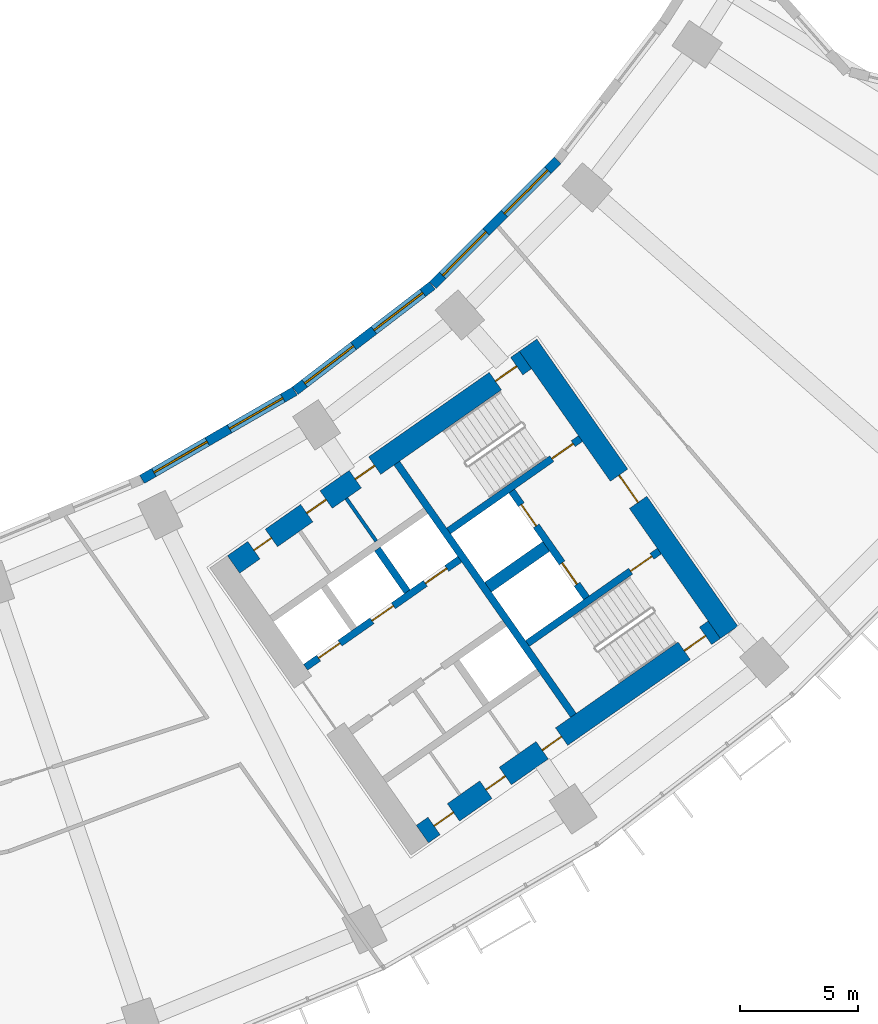
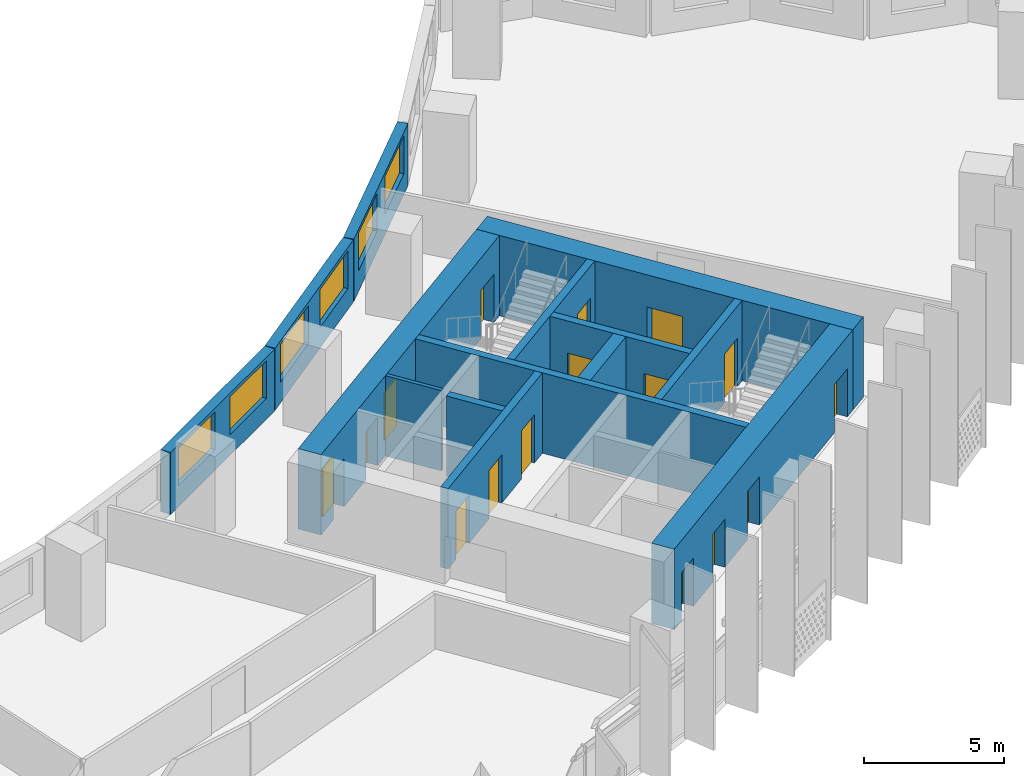
# One storey, part 7 of 33: 16 doors, 14 walls, 6 windows, 22 openings.
"""IFC4 building model written with IfcOpenShell, lengths in metres."""

from ifc_helpers import new_model, si_unit, direction, frame, frame_2d, origin, place, context, subcontext, project, spatial, rectangle, extrude, material, layer, layer_set, type_object, element, fill, save


model = new_model("IFC4")

# Units and contexts
model_context = context("Model", 3, precision=1e-05, world=origin(), true_north=direction((0.0, 1.0)))
body_context = subcontext(model_context, "Body", "Model", "MODEL_VIEW")
ifc_project = project(units=[si_unit("LENGTHUNIT", "METRE"), si_unit("AREAUNIT", "SQUARE_METRE"), si_unit("VOLUMEUNIT", "CUBIC_METRE"), si_unit("PLANEANGLEUNIT", "RADIAN"), si_unit("MASSUNIT", "GRAM", prefix="KILO")], contexts=[model_context])

# Site, building, storey
site_placement = place(None, origin())
site = spatial("IfcSite", under=ifc_project, at=site_placement, CompositionType="ELEMENT")
building_placement = place(site_placement, origin())
building = spatial("IfcBuilding", under=site, at=building_placement, Name="Qamariyya Broadcast Tower", CompositionType="ELEMENT")
storey_placement = place(building_placement, frame((0.0, 0.0, 78.5)))
storey = spatial("IfcBuildingStorey", under=building, at=storey_placement, Name="L16", CompositionType="ELEMENT", Elevation=78.5)

# Wall, opening, door
ifc_material_1 = material(Name="Concrete C70/85", Category="concrete")
ifc_layer_1 = layer(ifc_material_1, 0.89990234375)
ifc_layer_set_1 = layer_set([ifc_layer_1], Name="Core wall 900 mm Concrete C70/85")
wall_type_1 = type_object("IfcWallType", Name="Core wall 900 mm Concrete C70/85", PredefinedType="SHEAR", material=ifc_layer_set_1)
wall_1_placement = place(storey_placement, frame((49.778564453125, -57.191162109375, 0.0), z_axis=(0.0, 0.0, 1.0), x_axis=(-0.573577477574, 0.819151315216, 0.0)))
wall_1 = element("IfcWall", 1, at=wall_1_placement, inside=storey, type_object=wall_type_1, Name="k-E-L16-WH", PredefinedType="SHEAR", context=body_context, shape_type="SweptSolid", body=[
    extrude(rectangle(XDim=14.800048828125, YDim=0.89990234375, at=frame_2d((7.39990234375, 0.0))), origin(), (0.0, 0.0, 1.0), 3.5),
])
opening_1_placement = place(wall_1_placement, frame((6.699951171875, 0.0, 0.0)))
opening_1 = element("IfcOpeningElement", 2, at=opening_1_placement, cuts=wall_1, Name="Opening KD2-E1", PredefinedType="OPENING", context=body_context, shape_type="SweptSolid", body=[
    extrude(rectangle(XDim=1.39990234375, YDim=2.10009765625, at=frame_2d((0.699951171875, 1.050048828125))), frame((0.0, 0.4599609375, 0.0), z_axis=(0.0, -1.0, 0.0), x_axis=(1.0, 0.0, 0.0)), (0.0, 0.0, 1.0), 0.919921875),
])
ifc_material_2 = material(Name="Steel fire-resisting door leaf", Category="steel")
door_type_1 = type_object("IfcDoorType", Name="Fire-fighting lobby door KD2", OperationType="DOUBLE_DOOR_SINGLE_SWING", PredefinedType="DOOR", material=ifc_material_2)
door_1_placement = place(opening_1_placement, origin())
door_1 = element("IfcDoor", 3, at=door_1_placement, inside=storey, type_object=door_type_1, Name="k-E-L16-WH-D15", OperationType="DOUBLE_DOOR_SINGLE_SWING", OverallHeight=2.10009765625, OverallWidth=1.39990234375, PredefinedType="DOOR", context=body_context, shape_type="SweptSolid", body=[
    extrude(rectangle(XDim=1.39990234375, YDim=2.10009765625, at=frame_2d((0.699951171875, 1.050048828125))), frame((0.0, 0.02490234375, 0.0), z_axis=(0.0, -1.0, 0.0), x_axis=(1.0, 0.0, 0.0)), (0.0, 0.0, 1.0), 0.050048828125),
])
fill(opening_1, door_1)

# Wall, openings, doors
wall_2_placement = place(storey_placement, frame((28.8544921875, -54.32421875, 0.0), z_axis=(0.0, 0.0, 1.0), x_axis=(0.819145767589, 0.573585400304, 0.0)))
wall_2 = element("IfcWall", 4, at=wall_2_placement, inside=storey, type_object=wall_type_1, Name="k-E-L16-WI", PredefinedType="SHEAR", context=body_context, shape_type="SweptSolid", body=[
    extrude(rectangle(XDim=15.04541015625, YDim=0.89990234375, at=frame_2d((7.522705078125, 0.0))), origin(), (0.0, 0.0, 1.0), 3.5),
])
opening_2_placement = place(wall_2_placement, frame((1.050048828125, 0.0, 0.0)))
opening_2 = element("IfcOpeningElement", 5, at=opening_2_placement, cuts=wall_2, Name="Opening KD5-E1", PredefinedType="OPENING", context=body_context, shape_type="SweptSolid", body=[
    extrude(rectangle(XDim=0.89990234375, YDim=2.10009765625, at=frame_2d((0.449951171875, 1.050048828125))), frame((0.0, 0.4599609375, 0.0), z_axis=(0.0, -1.0, 0.0), x_axis=(1.0, 0.0, 0.0)), (0.0, 0.0, 1.0), 0.919921875),
])
opening_3_placement = place(wall_2_placement, frame((3.77490234375, 0.0, 0.0)))
opening_3 = element("IfcOpeningElement", 6, at=opening_3_placement, cuts=wall_2, Name="Opening KD7-E1", PredefinedType="OPENING", context=body_context, shape_type="SweptSolid", body=[
    extrude(rectangle(XDim=1.0, YDim=2.10009765625, at=frame_2d((0.5, 1.050048828125))), frame((0.0, 0.4599609375, 0.0), z_axis=(0.0, -1.0, 0.0), x_axis=(1.0, 0.0, 0.0)), (0.0, 0.0, 1.0), 0.919921875),
])
opening_4_placement = place(wall_2_placement, frame((6.27490234375, 0.0, 0.0)))
opening_4 = element("IfcOpeningElement", 7, at=opening_4_placement, cuts=wall_2, Name="Opening KD6-E3", PredefinedType="OPENING", context=body_context, shape_type="SweptSolid", body=[
    extrude(rectangle(XDim=1.0, YDim=2.10009765625, at=frame_2d((0.5, 1.050048828125))), frame((0.0, 0.4599609375, 0.0), z_axis=(0.0, -1.0, 0.0), x_axis=(1.0, 0.0, 0.0)), (0.0, 0.0, 1.0), 0.919921875),
])
opening_5_placement = place(wall_2_placement, frame((13.495361328125, 0.0, 0.0)))
opening_5 = element("IfcOpeningElement", 8, at=opening_5_placement, cuts=wall_2, Name="Opening KD1-E1", PredefinedType="OPENING", context=body_context, shape_type="SweptSolid", body=[
    extrude(rectangle(XDim=1.10009765625, YDim=2.10009765625, at=frame_2d((0.550048828125, 1.050048828125))), frame((0.0, 0.4599609375, 0.0), z_axis=(0.0, -1.0, 0.0), x_axis=(1.0, 0.0, 0.0)), (0.0, 0.0, 1.0), 0.919921875),
])
door_type_2 = type_object("IfcDoorType", Name="Accessible toilet door KD7", OperationType="SINGLE_SWING_LEFT", PredefinedType="DOOR", material=ifc_material_2)
door_2_placement = place(opening_3_placement, origin())
door_2 = element("IfcDoor", 9, at=door_2_placement, inside=storey, type_object=door_type_2, Name="k-E-L16-WI-D8", OperationType="SINGLE_SWING_RIGHT", OverallHeight=2.10009765625, OverallWidth=1.0, PredefinedType="DOOR", context=body_context, shape_type="SweptSolid", body=[
    extrude(rectangle(XDim=1.0, YDim=2.10009765625, at=frame_2d((0.5, 1.050048828125))), frame((0.0, 0.02490234375, 0.0), z_axis=(0.0, -1.0, 0.0), x_axis=(1.0, 0.0, 0.0)), (0.0, 0.0, 1.0), 0.050048828125),
])
fill(opening_3, door_2)
door_type_3 = type_object("IfcDoorType", Name="Core room door KD6", OperationType="SINGLE_SWING_LEFT", PredefinedType="DOOR", material=ifc_material_2)
door_3_placement = place(opening_4_placement, origin())
door_3 = element("IfcDoor", 10, at=door_3_placement, inside=storey, type_object=door_type_3, Name="k-E-L16-WI-D9", OperationType="SINGLE_SWING_LEFT", OverallHeight=2.10009765625, OverallWidth=1.0, PredefinedType="DOOR", context=body_context, shape_type="SweptSolid", body=[
    extrude(rectangle(XDim=1.0, YDim=2.10009765625, at=frame_2d((0.5, 1.050048828125))), frame((0.0, 0.02490234375, 0.0), z_axis=(0.0, -1.0, 0.0), x_axis=(1.0, 0.0, 0.0)), (0.0, 0.0, 1.0), 0.050048828125),
])
fill(opening_4, door_3)
door_type_4 = type_object("IfcDoorType", Name="Stair door KD1", OperationType="SINGLE_SWING_LEFT", PredefinedType="DOOR", material=ifc_material_2)
door_4_placement = place(opening_5_placement, origin())
door_4 = element("IfcDoor", 11, at=door_4_placement, inside=storey, type_object=door_type_4, Name="k-E-L16-WI-D16", OperationType="SINGLE_SWING_RIGHT", OverallHeight=2.10009765625, OverallWidth=1.10009765625, PredefinedType="DOOR", context=body_context, shape_type="SweptSolid", body=[
    extrude(rectangle(XDim=1.10009765625, YDim=2.10009765625, at=frame_2d((0.550048828125, 1.050048828125))), frame((0.0, 0.02490234375, 0.0), z_axis=(0.0, -1.0, 0.0), x_axis=(1.0, 0.0, 0.0)), (0.0, 0.0, 1.0), 0.050048828125),
])
fill(opening_5, door_4)
door_type_5 = type_object("IfcDoorType", Name="Toilet door KD5", OperationType="SINGLE_SWING_LEFT", PredefinedType="DOOR", material=ifc_material_2)
door_5_placement = place(opening_2_placement, origin())
door_5 = element("IfcDoor", 12, at=door_5_placement, inside=storey, type_object=door_type_5, Name="k-E-L16-WI-D7", OperationType="SINGLE_SWING_LEFT", OverallHeight=2.10009765625, OverallWidth=0.89990234375, PredefinedType="DOOR", context=body_context, shape_type="SweptSolid", body=[
    extrude(rectangle(XDim=0.89990234375, YDim=2.10009765625, at=frame_2d((0.449951171875, 1.050048828125))), frame((0.0, 0.02490234375, 0.0), z_axis=(0.0, -1.0, 0.0), x_axis=(1.0, 0.0, 0.0)), (0.0, 0.0, 1.0), 0.050048828125),
])
fill(opening_2, door_5)

wall_3_placement = place(storey_placement, frame((36.827392578125, -65.710205078125, 0.0), z_axis=(0.0, 0.0, 1.0), x_axis=(0.819153391756, 0.573574511963, 0.0)))
wall_3 = element("IfcWall", 13, at=wall_3_placement, inside=storey, type_object=wall_type_1, Name="k-E-L16-WO", PredefinedType="SHEAR", context=body_context, shape_type="SweptSolid", body=[
    extrude(rectangle(XDim=15.04541015625, YDim=0.89990234375, at=frame_2d((7.522705078125, 0.0))), origin(), (0.0, 0.0, 1.0), 3.5),
])
opening_6_placement = place(wall_3_placement, frame((0.60009765625, 0.0, 0.0)))
opening_6 = element("IfcOpeningElement", 14, at=opening_6_placement, cuts=wall_3, Name="Opening KD4-E1", PredefinedType="OPENING", context=body_context, shape_type="SweptSolid", body=[
    extrude(rectangle(XDim=1.0, YDim=2.10009765625, at=frame_2d((0.5, 1.050048828125))), frame((0.0, 0.4599609375, 0.0), z_axis=(0.0, -1.0, 0.0), x_axis=(1.0, 0.0, 0.0)), (0.0, 0.0, 1.0), 0.919921875),
])
opening_7_placement = place(wall_3_placement, frame((3.27490234375, 0.0, 0.0)))
opening_7 = element("IfcOpeningElement", 15, at=opening_7_placement, cuts=wall_3, Name="Opening KD4-E2", PredefinedType="OPENING", context=body_context, shape_type="SweptSolid", body=[
    extrude(rectangle(XDim=1.0, YDim=2.10009765625, at=frame_2d((0.5, 1.050048828125))), frame((0.0, 0.4599609375, 0.0), z_axis=(0.0, -1.0, 0.0), x_axis=(1.0, 0.0, 0.0)), (0.0, 0.0, 1.0), 0.919921875),
])
opening_8_placement = place(wall_3_placement, frame((6.175048828125, 0.0, 0.0)))
opening_8 = element("IfcOpeningElement", 16, at=opening_8_placement, cuts=wall_3, Name="Opening KD4-E3", PredefinedType="OPENING", context=body_context, shape_type="SweptSolid", body=[
    extrude(rectangle(XDim=1.0, YDim=2.10009765625, at=frame_2d((0.5, 1.050048828125))), frame((0.0, 0.4599609375, 0.0), z_axis=(0.0, -1.0, 0.0), x_axis=(1.0, 0.0, 0.0)), (0.0, 0.0, 1.0), 0.919921875),
])
opening_9_placement = place(wall_3_placement, frame((13.495361328125, 0.0, 0.0)))
opening_9 = element("IfcOpeningElement", 17, at=opening_9_placement, cuts=wall_3, Name="Opening KD1-E3", PredefinedType="OPENING", context=body_context, shape_type="SweptSolid", body=[
    extrude(rectangle(XDim=1.10009765625, YDim=2.10009765625, at=frame_2d((0.550048828125, 1.050048828125))), frame((0.0, 0.4599609375, 0.0), z_axis=(0.0, -1.0, 0.0), x_axis=(1.0, 0.0, 0.0)), (0.0, 0.0, 1.0), 0.919921875),
])
door_type_6 = type_object("IfcDoorType", Name="Riser and plant door KD4", OperationType="SINGLE_SWING_LEFT", PredefinedType="DOOR", material=ifc_material_2)
door_6_placement = place(opening_6_placement, origin())
door_6 = element("IfcDoor", 18, at=door_6_placement, inside=storey, type_object=door_type_6, Name="k-E-L16-WO-D10", OperationType="SINGLE_SWING_RIGHT", OverallHeight=2.10009765625, OverallWidth=1.0, PredefinedType="DOOR", context=body_context, shape_type="SweptSolid", body=[
    extrude(rectangle(XDim=1.0, YDim=2.10009765625, at=frame_2d((0.5, 1.050048828125))), frame((0.0, 0.02490234375, 0.0), z_axis=(0.0, -1.0, 0.0), x_axis=(1.0, 0.0, 0.0)), (0.0, 0.0, 1.0), 0.050048828125),
])
fill(opening_6, door_6)
door_7_placement = place(opening_7_placement, origin())
door_7 = element("IfcDoor", 19, at=door_7_placement, inside=storey, type_object=door_type_6, Name="k-E-L16-WO-D11", OperationType="SINGLE_SWING_LEFT", OverallHeight=2.10009765625, OverallWidth=1.0, PredefinedType="DOOR", context=body_context, shape_type="SweptSolid", body=[
    extrude(rectangle(XDim=1.0, YDim=2.10009765625, at=frame_2d((0.5, 1.050048828125))), frame((0.0, 0.02490234375, 0.0), z_axis=(0.0, -1.0, 0.0), x_axis=(1.0, 0.0, 0.0)), (0.0, 0.0, 1.0), 0.050048828125),
])
fill(opening_7, door_7)
door_8_placement = place(opening_8_placement, origin())
door_8 = element("IfcDoor", 20, at=door_8_placement, inside=storey, type_object=door_type_6, Name="k-E-L16-WO-D12", OperationType="SINGLE_SWING_RIGHT", OverallHeight=2.10009765625, OverallWidth=1.0, PredefinedType="DOOR", context=body_context, shape_type="SweptSolid", body=[
    extrude(rectangle(XDim=1.0, YDim=2.10009765625, at=frame_2d((0.5, 1.050048828125))), frame((0.0, 0.02490234375, 0.0), z_axis=(0.0, -1.0, 0.0), x_axis=(1.0, 0.0, 0.0)), (0.0, 0.0, 1.0), 0.050048828125),
])
fill(opening_8, door_8)
door_9_placement = place(opening_9_placement, origin())
door_9 = element("IfcDoor", 21, at=door_9_placement, inside=storey, type_object=door_type_4, Name="k-E-L16-WO-D18", OperationType="SINGLE_SWING_LEFT", OverallHeight=2.10009765625, OverallWidth=1.10009765625, PredefinedType="DOOR", context=body_context, shape_type="SweptSolid", body=[
    extrude(rectangle(XDim=1.10009765625, YDim=2.10009765625, at=frame_2d((0.550048828125, 1.050048828125))), frame((0.0, 0.02490234375, 0.0), z_axis=(0.0, -1.0, 0.0), x_axis=(1.0, 0.0, 0.0)), (0.0, 0.0, 1.0), 0.050048828125),
])
fill(opening_9, door_9)

# Walls
ifc_material_3 = material(Name="Concrete C60/75", Category="concrete")
ifc_layer_2 = layer(ifc_material_3, 0.5)
ifc_layer_set_2 = layer_set([ifc_layer_2], Name="Fire-fighting lobby divider wall 500 mm Concrete C60/75")
wall_type_2 = type_object("IfcWallType", Name="Fire-fighting lobby divider wall 500 mm Concrete C60/75", PredefinedType="SOLIDWALL", material=ifc_layer_set_2)
wall_4_placement = place(storey_placement, frame((39.59912109375, -55.28515625, 0.0), z_axis=(0.0, 0.0, 1.0), x_axis=(0.819136323161, 0.573598887793, 0.0)))
element("IfcWall", 22, at=wall_4_placement, inside=storey, type_object=wall_type_2, Name="k-E-L16-FD", PredefinedType="SOLIDWALL", context=body_context, shape_type="SweptSolid", body=[
    extrude(rectangle(XDim=2.999755859375, YDim=0.5, at=frame_2d((1.5, 0.0))), origin(), (0.0, 0.0, 1.0), 3.5),
])
ifc_material_4 = material(Name="Gypsum board partition on steel studs", Category="steel")
ifc_layer_3 = layer(ifc_material_4, 0.14990234375)
ifc_layer_set_3 = layer_set([ifc_layer_3], Name="Gypsum board partition 150 mm")
wall_type_3 = type_object("IfcWallType", Name="Gypsum board partition 150 mm", PredefinedType="PARTITIONING", material=ifc_layer_set_3)
wall_5_placement = place(storey_placement, frame((34.8798828125, -53.340087890625, 0.0), z_axis=(0.0, 0.0, 1.0), x_axis=(-0.573559170999, 0.819164133348, 0.0)))
element("IfcWall", 23, at=wall_5_placement, inside=storey, type_object=wall_type_3, Name="k-E-L16-NP550", PredefinedType="PARTITIONING", context=body_context, shape_type="SweptSolid", body=[
    extrude(rectangle(XDim=2.19970703125, YDim=0.14990234375, at=frame_2d((1.099853515625, 0.0))), origin(), (0.0, 0.0, 1.0), 3.5),
])
ifc_layer_4 = layer(ifc_material_3, 0.300048828125)
ifc_layer_set_4 = layer_set([ifc_layer_4], Name="Lift shaft wall 300 mm Concrete C60/75")
wall_type_4 = type_object("IfcWallType", Name="Lift shaft wall 300 mm Concrete C60/75", PredefinedType="SOLIDWALL", material=ifc_layer_set_4)
wall_6_placement = place(storey_placement, frame((43.204345703125, -60.69580078125, 0.0), z_axis=(0.0, 0.0, 1.0), x_axis=(-0.573571992966, 0.819155155563, 0.0)))
element("IfcWall", 24, at=wall_6_placement, inside=storey, type_object=wall_type_4, Name="k-E-L16-WL", PredefinedType="SOLIDWALL", context=body_context, shape_type="SweptSolid", body=[
    extrude(rectangle(XDim=13.000244140625, YDim=0.300048828125, at=frame_2d((6.5, 0.0))), origin(), (0.0, 0.0, 1.0), 3.5),
])

# Wall, openings, doors
wall_7_placement = place(storey_placement, frame((31.89453125, -58.66552734375, 0.0), z_axis=(0.0, 0.0, 1.0), x_axis=(0.819166993208, 0.573555086491, 0.0)))
wall_7 = element("IfcWall", 25, at=wall_7_placement, inside=storey, type_object=wall_type_4, Name="k-E-L16-NF0", PredefinedType="SOLIDWALL", context=body_context, shape_type="SweptSolid", body=[
    extrude(rectangle(XDim=7.9501953125, YDim=0.300048828125, at=frame_2d((3.97509765625, 0.0))), origin(), (0.0, 0.0, 1.0), 3.5),
])
opening_10_placement = place(wall_7_placement, frame((0.675048828125, 0.0, 0.0)))
opening_10 = element("IfcOpeningElement", 26, at=opening_10_placement, cuts=wall_7, Name="Opening LD", PredefinedType="OPENING", context=body_context, shape_type="SweptSolid", body=[
    extrude(rectangle(XDim=1.10009765625, YDim=2.10009765625, at=frame_2d((0.550048828125, 1.050048828125))), frame((0.0, 0.159912109375, 0.0), z_axis=(0.0, -1.0, 0.0), x_axis=(1.0, 0.0, 0.0)), (0.0, 0.0, 1.0), 0.320068359375),
])
opening_11_placement = place(wall_7_placement, frame((3.425048828125, 0.0, 0.0)))
opening_11 = element("IfcOpeningElement", 27, at=opening_11_placement, cuts=wall_7, Name="Opening LD", PredefinedType="OPENING", context=body_context, shape_type="SweptSolid", body=[
    extrude(rectangle(XDim=1.10009765625, YDim=2.10009765625, at=frame_2d((0.550048828125, 1.050048828125))), frame((0.0, 0.159912109375, 0.0), z_axis=(0.0, -1.0, 0.0), x_axis=(1.0, 0.0, 0.0)), (0.0, 0.0, 1.0), 0.320068359375),
])
opening_12_placement = place(wall_7_placement, frame((6.175048828125, 0.0, 0.0)))
opening_12 = element("IfcOpeningElement", 28, at=opening_12_placement, cuts=wall_7, Name="Opening LD", PredefinedType="OPENING", context=body_context, shape_type="SweptSolid", body=[
    extrude(rectangle(XDim=1.10009765625, YDim=2.10009765625, at=frame_2d((0.550048828125, 1.050048828125))), frame((0.0, 0.159912109375, 0.0), z_axis=(0.0, -1.0, 0.0), x_axis=(1.0, 0.0, 0.0)), (0.0, 0.0, 1.0), 0.320068359375),
])
door_type_7 = type_object("IfcDoorType", Name="Lift landing door LD", OperationType="DOUBLE_DOOR_SLIDING", PredefinedType="DOOR", material=ifc_material_2)
door_10_placement = place(opening_10_placement, origin())
door_10 = element("IfcDoor", 29, at=door_10_placement, inside=storey, type_object=door_type_7, Name="k-E-L16-NF0-D2", OperationType="DOUBLE_DOOR_SLIDING", OverallHeight=2.10009765625, OverallWidth=1.10009765625, PredefinedType="DOOR", context=body_context, shape_type="SweptSolid", body=[
    extrude(rectangle(XDim=1.10009765625, YDim=2.10009765625, at=frame_2d((0.550048828125, 1.050048828125))), frame((0.0, 0.02490234375, 0.0), z_axis=(0.0, -1.0, 0.0), x_axis=(1.0, 0.0, 0.0)), (0.0, 0.0, 1.0), 0.050048828125),
])
fill(opening_10, door_10)
door_11_placement = place(opening_11_placement, origin())
door_11 = element("IfcDoor", 30, at=door_11_placement, inside=storey, type_object=door_type_7, Name="k-E-L16-NF0-D3", OperationType="DOUBLE_DOOR_SLIDING", OverallHeight=2.10009765625, OverallWidth=1.10009765625, PredefinedType="DOOR", context=body_context, shape_type="SweptSolid", body=[
    extrude(rectangle(XDim=1.10009765625, YDim=2.10009765625, at=frame_2d((0.550048828125, 1.050048828125))), frame((0.0, 0.02490234375, 0.0), z_axis=(0.0, -1.0, 0.0), x_axis=(1.0, 0.0, 0.0)), (0.0, 0.0, 1.0), 0.050048828125),
])
fill(opening_11, door_11)
door_12_placement = place(opening_12_placement, origin())
door_12 = element("IfcDoor", 31, at=door_12_placement, inside=storey, type_object=door_type_7, Name="k-E-L16-NF0-D4", OperationType="DOUBLE_DOOR_SLIDING", OverallHeight=2.10009765625, OverallWidth=1.10009765625, PredefinedType="DOOR", context=body_context, shape_type="SweptSolid", body=[
    extrude(rectangle(XDim=1.10009765625, YDim=2.10009765625, at=frame_2d((0.550048828125, 1.050048828125))), frame((0.0, 0.02490234375, 0.0), z_axis=(0.0, -1.0, 0.0), x_axis=(1.0, 0.0, 0.0)), (0.0, 0.0, 1.0), 0.050048828125),
])
fill(opening_12, door_12)

# Wall
wall_8_placement = place(storey_placement, frame((36.19091796875, -55.47412109375, 0.0), z_axis=(0.0, 0.0, 1.0), x_axis=(-0.573507030513, 0.819200638399, 0.0)))
element("IfcWall", 32, at=wall_8_placement, inside=storey, type_object=wall_type_4, Name="k-E-L16-ND1", PredefinedType="SOLIDWALL", context=body_context, shape_type="SweptSolid", body=[
    extrude(rectangle(XDim=2.199951171875, YDim=0.300048828125, at=frame_2d((1.10009765625, 0.0))), origin(), (0.0, 0.0, 1.0), 3.5),
])

# Wall, opening, door
wall_9_placement = place(storey_placement, frame((37.935546875, -52.90966796875, 0.0), z_axis=(0.0, 0.0, 1.0), x_axis=(0.819147518138, 0.57358290031, 0.0)))
wall_9 = element("IfcWall", 33, at=wall_9_placement, inside=storey, type_object=wall_type_4, Name="k-E-L16-NW", PredefinedType="SOLIDWALL", context=body_context, shape_type="SweptSolid", body=[
    extrude(rectangle(XDim=6.79541015625, YDim=0.300048828125, at=frame_2d((3.397705078125, 0.0))), origin(), (0.0, 0.0, 1.0), 3.5),
])
opening_13_placement = place(wall_9_placement, frame((5.3203125, 0.0, 0.0)))
opening_13 = element("IfcOpeningElement", 34, at=opening_13_placement, cuts=wall_9, Name="Opening KD1-E2", PredefinedType="OPENING", context=body_context, shape_type="SweptSolid", body=[
    extrude(rectangle(XDim=1.10009765625, YDim=2.10009765625, at=frame_2d((0.550048828125, 1.050048828125))), frame((0.0, 0.159912109375, 0.0), z_axis=(0.0, -1.0, 0.0), x_axis=(1.0, 0.0, 0.0)), (0.0, 0.0, 1.0), 0.320068359375),
])
door_13_placement = place(opening_13_placement, origin())
door_13 = element("IfcDoor", 35, at=door_13_placement, inside=storey, type_object=door_type_4, Name="k-E-L16-NW-D17", OperationType="SINGLE_SWING_LEFT", OverallHeight=2.10009765625, OverallWidth=1.10009765625, PredefinedType="DOOR", context=body_context, shape_type="SweptSolid", body=[
    extrude(rectangle(XDim=1.10009765625, YDim=2.10009765625, at=frame_2d((0.550048828125, 1.050048828125))), frame((0.0, 0.02490234375, 0.0), z_axis=(0.0, -1.0, 0.0), x_axis=(1.0, 0.0, 0.0)), (0.0, 0.0, 1.0), 0.050048828125),
])
fill(opening_13, door_13)

wall_10_placement = place(storey_placement, frame((41.262451171875, -57.66064453125, 0.0), z_axis=(0.0, 0.0, 1.0), x_axis=(0.819164398642, 0.573558792102, 0.0)))
wall_10 = element("IfcWall", 36, at=wall_10_placement, inside=storey, type_object=wall_type_4, Name="k-E-L16-SW", PredefinedType="SOLIDWALL", context=body_context, shape_type="SweptSolid", body=[
    extrude(rectangle(XDim=6.795166015625, YDim=0.300048828125, at=frame_2d((3.3974609375, 0.0))), origin(), (0.0, 0.0, 1.0), 3.5),
])
opening_14_placement = place(wall_10_placement, frame((5.3203125, 0.0, 0.0)))
opening_14 = element("IfcOpeningElement", 37, at=opening_14_placement, cuts=wall_10, Name="Opening KD1-E4", PredefinedType="OPENING", context=body_context, shape_type="SweptSolid", body=[
    extrude(rectangle(XDim=1.10009765625, YDim=2.10009765625, at=frame_2d((0.550048828125, 1.050048828125))), frame((0.0, 0.159912109375, 0.0), z_axis=(0.0, -1.0, 0.0), x_axis=(1.0, 0.0, 0.0)), (0.0, 0.0, 1.0), 0.320068359375),
])
door_14_placement = place(opening_14_placement, origin())
door_14 = element("IfcDoor", 38, at=door_14_placement, inside=storey, type_object=door_type_4, Name="k-E-L16-SW-D19", OperationType="SINGLE_SWING_LEFT", OverallHeight=2.10009765625, OverallWidth=1.10009765625, PredefinedType="DOOR", context=body_context, shape_type="SweptSolid", body=[
    extrude(rectangle(XDim=1.10009765625, YDim=2.10009765625, at=frame_2d((0.550048828125, 1.050048828125))), frame((0.0, 0.02490234375, 0.0), z_axis=(0.0, -1.0, 0.0), x_axis=(1.0, 0.0, 0.0)), (0.0, 0.0, 1.0), 0.050048828125),
])
fill(opening_14, door_14)

# Wall, openings, doors
wall_11_placement = place(storey_placement, frame((43.756591796875, -55.731201171875, 0.0), z_axis=(0.0, 0.0, 1.0), x_axis=(-0.573536818435, 0.819179783625, 0.0)))
wall_11 = element("IfcWall", 39, at=wall_11_placement, inside=storey, type_object=wall_type_4, Name="k-E-L16-FF", PredefinedType="SOLIDWALL", context=body_context, shape_type="SweptSolid", body=[
    extrude(rectangle(XDim=5.500244140625, YDim=0.300048828125, at=frame_2d((2.75, 0.0))), origin(), (0.0, 0.0, 1.0), 3.5),
])
opening_15_placement = place(wall_11_placement, frame((0.699951171875, 0.0, 0.0)))
opening_15 = element("IfcOpeningElement", 40, at=opening_15_placement, cuts=wall_11, Name="Opening LD", PredefinedType="OPENING", context=body_context, shape_type="SweptSolid", body=[
    extrude(rectangle(XDim=1.10009765625, YDim=2.10009765625, at=frame_2d((0.550048828125, 1.050048828125))), frame((0.0, 0.159912109375, 0.0), z_axis=(0.0, -1.0, 0.0), x_axis=(1.0, 0.0, 0.0)), (0.0, 0.0, 1.0), 0.320068359375),
])
opening_16_placement = place(wall_11_placement, frame((3.699951171875, 0.0, 0.0)))
opening_16 = element("IfcOpeningElement", 41, at=opening_16_placement, cuts=wall_11, Name="Opening LD", PredefinedType="OPENING", context=body_context, shape_type="SweptSolid", body=[
    extrude(rectangle(XDim=1.10009765625, YDim=2.10009765625, at=frame_2d((0.550048828125, 1.050048828125))), frame((0.0, 0.159912109375, 0.0), z_axis=(0.0, -1.0, 0.0), x_axis=(1.0, 0.0, 0.0)), (0.0, 0.0, 1.0), 0.320068359375),
])
door_15_placement = place(opening_15_placement, origin())
door_15 = element("IfcDoor", 42, at=door_15_placement, inside=storey, type_object=door_type_7, Name="k-E-L16-FF-D13", OperationType="DOUBLE_DOOR_SLIDING", OverallHeight=2.10009765625, OverallWidth=1.10009765625, PredefinedType="DOOR", context=body_context, shape_type="SweptSolid", body=[
    extrude(rectangle(XDim=1.10009765625, YDim=2.10009765625, at=frame_2d((0.550048828125, 1.050048828125))), frame((0.0, 0.02490234375, 0.0), z_axis=(0.0, -1.0, 0.0), x_axis=(1.0, 0.0, 0.0)), (0.0, 0.0, 1.0), 0.050048828125),
])
fill(opening_15, door_15)
door_16_placement = place(opening_16_placement, origin())
door_16 = element("IfcDoor", 43, at=door_16_placement, inside=storey, type_object=door_type_7, Name="k-E-L16-FF-D14", OperationType="DOUBLE_DOOR_SLIDING", OverallHeight=2.10009765625, OverallWidth=1.10009765625, PredefinedType="DOOR", context=body_context, shape_type="SweptSolid", body=[
    extrude(rectangle(XDim=1.10009765625, YDim=2.10009765625, at=frame_2d((0.550048828125, 1.050048828125))), frame((0.0, 0.02490234375, 0.0), z_axis=(0.0, -1.0, 0.0), x_axis=(1.0, 0.0, 0.0)), (0.0, 0.0, 1.0), 0.050048828125),
])
fill(opening_16, door_16)

# Wall, openings, windows
ifc_material_5 = material(Name="Terracotta", Category="masonry")
ifc_layer_5 = layer(ifc_material_5, 0.39990234375)
ifc_layer_set_5 = layer_set([ifc_layer_5], Name="Terracotta clad wall 400")
wall_type_5 = type_object("IfcWallType", Name="Terracotta clad wall 400", PredefinedType="SOLIDWALL", material=ifc_layer_set_5)
wall_12_placement = place(storey_placement, frame((31.439453125, -47.007568359375, 0.0), z_axis=(0.0, 0.0, 1.0), x_axis=(-0.866037641005, -0.499978803913, 0.0)))
wall_12 = element("IfcWall", 44, at=wall_12_placement, inside=storey, type_object=wall_type_5, Name="e-wl-L16-in120", PredefinedType="SOLIDWALL", context=body_context, shape_type="SweptSolid", body=[
    extrude(rectangle(XDim=7.447021484375, YDim=0.39990234375, at=frame_2d((3.7236328125, 0.0))), origin(), (0.0, 0.0, 1.0), 2.699951171875),
])
opening_17_placement = place(wall_12_placement, frame((4.266357421875, 0.0, 0.89990234375)))
opening_17 = element("IfcOpeningElement", 45, at=opening_17_placement, cuts=wall_12, Name="Opening W1", PredefinedType="OPENING", context=body_context, shape_type="SweptSolid", body=[
    extrude(rectangle(XDim=2.60009765625, YDim=1.64990234375, at=frame_2d((1.300048828125, 0.824951171875))), frame((0.0, 0.2099609375, 0.0), z_axis=(0.0, -1.0, 0.0), x_axis=(1.0, 0.0, 0.0)), (0.0, 0.0, 1.0), 0.419921875),
])
opening_18_placement = place(wall_12_placement, frame((0.580810546875, 0.0, 0.89990234375)))
opening_18 = element("IfcOpeningElement", 46, at=opening_18_placement, cuts=wall_12, Name="Opening W1", PredefinedType="OPENING", context=body_context, shape_type="SweptSolid", body=[
    extrude(rectangle(XDim=2.60009765625, YDim=1.64990234375, at=frame_2d((1.300048828125, 0.824951171875))), frame((0.0, 0.2099609375, 0.0), z_axis=(0.0, -1.0, 0.0), x_axis=(1.0, 0.0, 0.0)), (0.0, 0.0, 1.0), 0.419921875),
])
ifc_material_6 = material(Name="Clear low-e double glazed unit in aluminium frame", Category="aluminium")
window_type = type_object("IfcWindowType", Name="Ribbon window 2600 x 1650", PartitioningType="SINGLE_PANEL", PredefinedType="WINDOW", material=ifc_material_6)
window_1_placement = place(opening_17_placement, origin())
window_1 = element("IfcWindow", 47, at=window_1_placement, inside=storey, type_object=window_type, Name="e-w-L16-in12-0", OverallHeight=1.64990234375, OverallWidth=2.60009765625, PartitioningType="SINGLE_PANEL", PredefinedType="WINDOW", context=body_context, shape_type="SweptSolid", body=[
    extrude(rectangle(XDim=2.60009765625, YDim=1.64990234375, at=frame_2d((1.300048828125, 0.824951171875))), frame((0.0, 0.030029296875, 0.0), z_axis=(0.0, -1.0, 0.0), x_axis=(1.0, 0.0, 0.0)), (0.0, 0.0, 1.0), 0.06005859375),
])
fill(opening_17, window_1)
window_2_placement = place(opening_18_placement, origin())
window_2 = element("IfcWindow", 48, at=window_2_placement, inside=storey, type_object=window_type, Name="e-w-L16-in12-1", OverallHeight=1.64990234375, OverallWidth=2.60009765625, PartitioningType="SINGLE_PANEL", PredefinedType="WINDOW", context=body_context, shape_type="SweptSolid", body=[
    extrude(rectangle(XDim=2.60009765625, YDim=1.64990234375, at=frame_2d((1.300048828125, 0.824951171875))), frame((0.0, 0.030029296875, 0.0), z_axis=(0.0, -1.0, 0.0), x_axis=(1.0, 0.0, 0.0)), (0.0, 0.0, 1.0), 0.06005859375),
])
fill(opening_18, window_2)

wall_13_placement = place(storey_placement, frame((37.24609375, -42.5478515625, 0.0), z_axis=(0.0, 0.0, 1.0), x_axis=(-0.79336607943, -0.60874482668, 0.0)))
wall_13 = element("IfcWall", 49, at=wall_13_placement, inside=storey, type_object=wall_type_5, Name="e-wl-L16-in130", PredefinedType="SOLIDWALL", context=body_context, shape_type="SweptSolid", body=[
    extrude(rectangle(XDim=7.295654296875, YDim=0.39990234375, at=frame_2d((3.64794921875, 0.0))), origin(), (0.0, 0.0, 1.0), 2.699951171875),
])
opening_19_placement = place(wall_13_placement, frame((4.190673828125, 0.0, 0.89990234375)))
opening_19 = element("IfcOpeningElement", 50, at=opening_19_placement, cuts=wall_13, Name="Opening W1", PredefinedType="OPENING", context=body_context, shape_type="SweptSolid", body=[
    extrude(rectangle(XDim=2.60009765625, YDim=1.64990234375, at=frame_2d((1.300048828125, 0.824951171875))), frame((0.0, 0.2099609375, 0.0), z_axis=(0.0, -1.0, 0.0), x_axis=(1.0, 0.0, 0.0)), (0.0, 0.0, 1.0), 0.419921875),
])
opening_20_placement = place(wall_13_placement, frame((0.505126953125, 0.0, 0.89990234375)))
opening_20 = element("IfcOpeningElement", 51, at=opening_20_placement, cuts=wall_13, Name="Opening W1", PredefinedType="OPENING", context=body_context, shape_type="SweptSolid", body=[
    extrude(rectangle(XDim=2.60009765625, YDim=1.64990234375, at=frame_2d((1.300048828125, 0.824951171875))), frame((0.0, 0.2099609375, 0.0), z_axis=(0.0, -1.0, 0.0), x_axis=(1.0, 0.0, 0.0)), (0.0, 0.0, 1.0), 0.419921875),
])
window_3_placement = place(opening_19_placement, origin())
window_3 = element("IfcWindow", 52, at=window_3_placement, inside=storey, type_object=window_type, Name="e-w-L16-in13-0", OverallHeight=1.64990234375, OverallWidth=2.60009765625, PartitioningType="SINGLE_PANEL", PredefinedType="WINDOW", context=body_context, shape_type="SweptSolid", body=[
    extrude(rectangle(XDim=2.60009765625, YDim=1.64990234375, at=frame_2d((1.300048828125, 0.824951171875))), frame((0.0, 0.030029296875, 0.0), z_axis=(0.0, -1.0, 0.0), x_axis=(1.0, 0.0, 0.0)), (0.0, 0.0, 1.0), 0.06005859375),
])
fill(opening_19, window_3)
window_4_placement = place(opening_20_placement, origin())
window_4 = element("IfcWindow", 53, at=window_4_placement, inside=storey, type_object=window_type, Name="e-w-L16-in13-1", OverallHeight=1.64990234375, OverallWidth=2.60009765625, PartitioningType="SINGLE_PANEL", PredefinedType="WINDOW", context=body_context, shape_type="SweptSolid", body=[
    extrude(rectangle(XDim=2.60009765625, YDim=1.64990234375, at=frame_2d((1.300048828125, 0.824951171875))), frame((0.0, 0.030029296875, 0.0), z_axis=(0.0, -1.0, 0.0), x_axis=(1.0, 0.0, 0.0)), (0.0, 0.0, 1.0), 0.06005859375),
])
fill(opening_20, window_4)

wall_14_placement = place(storey_placement, frame((42.534423828125, -37.2685546875, 0.0), z_axis=(0.0, 0.0, 1.0), x_axis=(-0.707106781187, -0.707106781187, 0.0)))
wall_14 = element("IfcWall", 54, at=wall_14_placement, inside=storey, type_object=wall_type_5, Name="e-wl-L16-in140", PredefinedType="SOLIDWALL", context=body_context, shape_type="SweptSolid", body=[
    extrude(rectangle(XDim=7.447021484375, YDim=0.39990234375, at=frame_2d((3.7236328125, 0.0))), origin(), (0.0, 0.0, 1.0), 2.699951171875),
])
opening_21_placement = place(wall_14_placement, frame((4.266357421875, 0.0, 0.89990234375)))
opening_21 = element("IfcOpeningElement", 55, at=opening_21_placement, cuts=wall_14, Name="Opening W1", PredefinedType="OPENING", context=body_context, shape_type="SweptSolid", body=[
    extrude(rectangle(XDim=2.60009765625, YDim=1.64990234375, at=frame_2d((1.300048828125, 0.824951171875))), frame((0.0, 0.2099609375, 0.0), z_axis=(0.0, -1.0, 0.0), x_axis=(1.0, 0.0, 0.0)), (0.0, 0.0, 1.0), 0.419921875),
])
opening_22_placement = place(wall_14_placement, frame((0.580810546875, 0.0, 0.89990234375)))
opening_22 = element("IfcOpeningElement", 56, at=opening_22_placement, cuts=wall_14, Name="Opening W1", PredefinedType="OPENING", context=body_context, shape_type="SweptSolid", body=[
    extrude(rectangle(XDim=2.60009765625, YDim=1.64990234375, at=frame_2d((1.300048828125, 0.824951171875))), frame((0.0, 0.2099609375, 0.0), z_axis=(0.0, -1.0, 0.0), x_axis=(1.0, 0.0, 0.0)), (0.0, 0.0, 1.0), 0.419921875),
])
window_5_placement = place(opening_21_placement, origin())
window_5 = element("IfcWindow", 57, at=window_5_placement, inside=storey, type_object=window_type, Name="e-w-L16-in14-0", OverallHeight=1.64990234375, OverallWidth=2.60009765625, PartitioningType="SINGLE_PANEL", PredefinedType="WINDOW", context=body_context, shape_type="SweptSolid", body=[
    extrude(rectangle(XDim=2.60009765625, YDim=1.64990234375, at=frame_2d((1.300048828125, 0.824951171875))), frame((0.0, 0.030029296875, 0.0), z_axis=(0.0, -1.0, 0.0), x_axis=(1.0, 0.0, 0.0)), (0.0, 0.0, 1.0), 0.06005859375),
])
fill(opening_21, window_5)
window_6_placement = place(opening_22_placement, origin())
window_6 = element("IfcWindow", 58, at=window_6_placement, inside=storey, type_object=window_type, Name="e-w-L16-in14-1", OverallHeight=1.64990234375, OverallWidth=2.60009765625, PartitioningType="SINGLE_PANEL", PredefinedType="WINDOW", context=body_context, shape_type="SweptSolid", body=[
    extrude(rectangle(XDim=2.60009765625, YDim=1.64990234375, at=frame_2d((1.300048828125, 0.824951171875))), frame((0.0, 0.030029296875, 0.0), z_axis=(0.0, -1.0, 0.0), x_axis=(1.0, 0.0, 0.0)), (0.0, 0.0, 1.0), 0.06005859375),
])
fill(opening_22, window_6)

save(model, "model.ifc")
